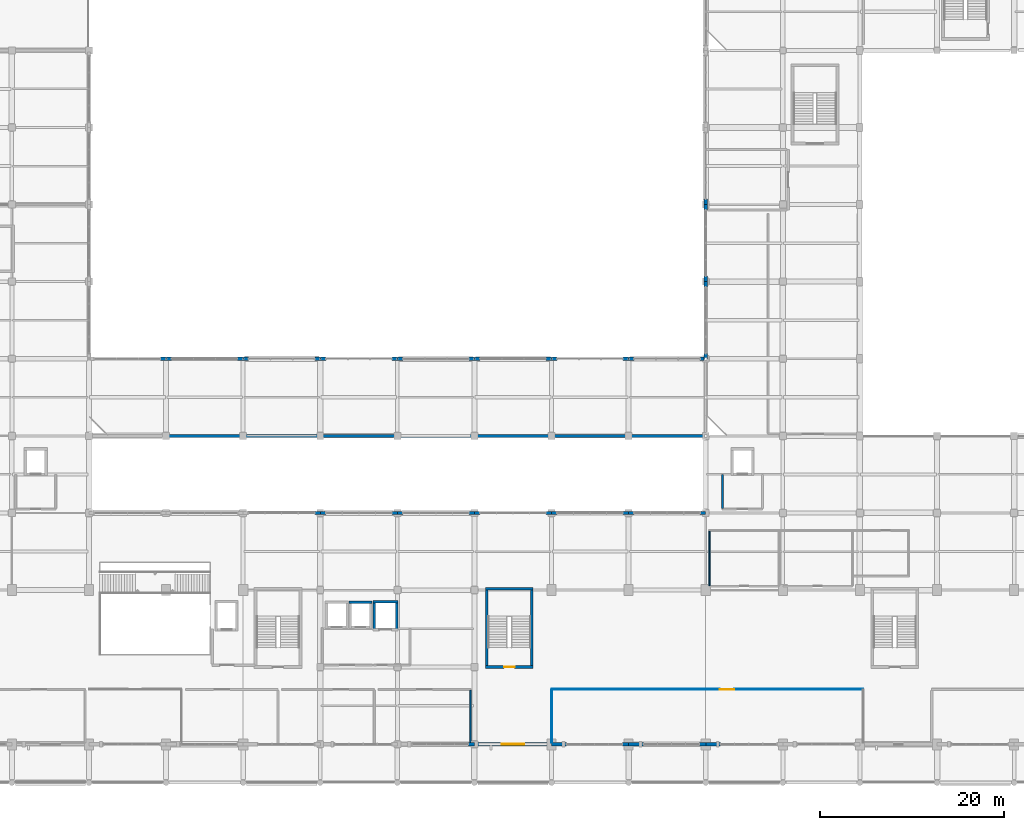
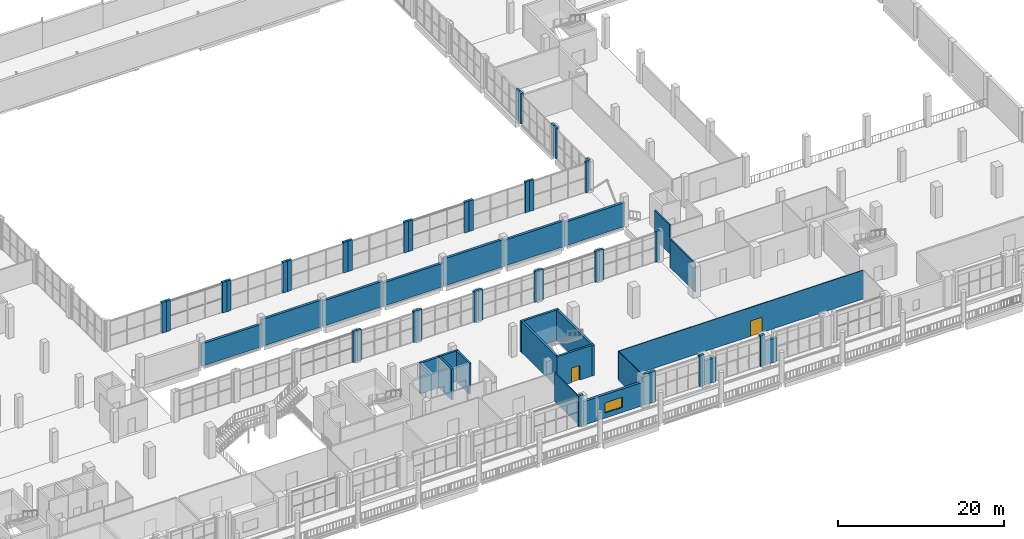
# One storey, part 60 of 75: 58 walls, 2 doors, 1 window, 3 openings.
"""IFC4 building model written with IfcOpenShell, lengths in metres."""

from ifc_helpers import new_model, si_unit, derived_unit, direction, frame, frame_2d, origin, place, context, subcontext, project, spatial, rectangle, extrude, material, layer, layer_set, type_object, element, fill, save


model = new_model("IFC4")

# Units and contexts
model_context = context("Model", 3, precision=1e-05, world=origin(), true_north=direction((0.0, 1.0)))
body_context = subcontext(model_context, "Body", "Model", "MODEL_VIEW")
ifc_project = project(units=[si_unit("LENGTHUNIT", "METRE"), si_unit("AREAUNIT", "SQUARE_METRE"), si_unit("VOLUMEUNIT", "CUBIC_METRE"), si_unit("PLANEANGLEUNIT", "RADIAN"), si_unit("MASSUNIT", "GRAM", prefix="KILO"), derived_unit("THERMALTRANSMITTANCEUNIT", [(si_unit("POWERUNIT", "WATT"), 1), (si_unit("LENGTHUNIT", "METRE"), -2), (si_unit("THERMODYNAMICTEMPERATUREUNIT", "KELVIN"), -1)])], contexts=[model_context])

# Site, building, storey
site_placement = place(None, origin())
site = spatial("IfcSite", under=ifc_project, at=site_placement, CompositionType="ELEMENT")
building_placement = place(site_placement, origin())
building = spatial("IfcBuilding", under=site, at=building_placement, Name="Barrovel Congress Hotel", CompositionType="ELEMENT")
storey_placement = place(building_placement, frame((0.0, 0.0, 5.39990234375)))
storey = spatial("IfcBuildingStorey", under=building, at=storey_placement, Name="L01", CompositionType="ELEMENT", Elevation=5.39990234375)

# Walls
ifc_material_1 = material(Name="Fired Clay Brick Masonry", Category="masonry")
ifc_layer_1 = layer(ifc_material_1, 0.340087890625)
ifc_layer_set_1 = layer_set([ifc_layer_1], Name="Fired Clay Brick Masonry")
wall_type_1 = type_object("IfcWallType", Name="EW-BRK340", PredefinedType="STANDARD", material=ifc_layer_set_1)
wall_1_placement = place(storey_placement, frame((126.0, 29.39990234375, 0.0), z_axis=(0.0, 0.0, 1.0), x_axis=(-1.0, 0.0, 0.0)))
element("IfcWall", 1, at=wall_1_placement, inside=storey, type_object=wall_type_1, Name="EW:L01:CSJ-R:14", PredefinedType="STANDARD", context=body_context, shape_type="SweptSolid", body=[
    extrude(rectangle(XDim=0.60009765625, YDim=0.340087890625, at=frame_2d((0.300048828125, 0.0))), origin(), (0.0, 0.0, 1.0), 4.5),
])
wall_2_placement = place(storey_placement, frame((118.199951171875, 29.39990234375, 0.0), z_axis=(0.0, 0.0, 1.0), x_axis=(-1.0, 0.0, 0.0)))
element("IfcWall", 2, at=wall_2_placement, inside=storey, type_object=wall_type_1, Name="EW:L01:CSJ-L:14", PredefinedType="STANDARD", context=body_context, shape_type="SweptSolid", body=[
    extrude(rectangle(XDim=0.599853515625, YDim=0.340087890625, at=frame_2d((0.2998046875, 0.0))), origin(), (0.0, 0.0, 1.0), 4.5),
])
for number, where, z_axis, x_axis, name in (
    (3, (117.60009765625, 29.39990234375, 0.0), (0.0, 0.0, 1.0), (-1.0, 0.0, 0.0), "EW:L01:CSJ-R:13"),
    (4, (109.800048828125, 29.39990234375, 0.0), (0.0, 0.0, 1.0), (-1.0, 0.0, 0.0), "EW:L01:CSJ-L:13"),
):
    element("IfcWall", number, at=place(storey_placement, frame(where, z_axis=z_axis, x_axis=x_axis)), inside=storey, type_object=wall_type_1, Name=name, PredefinedType="STANDARD", context=body_context, shape_type="SweptSolid", body=[
        extrude(rectangle(XDim=0.60009765625, YDim=0.340087890625, at=frame_2d((0.300048828125, 0.0))), origin(), (0.0, 0.0, 1.0), 4.5),
    ])
for number, where, z_axis, x_axis, name in (
    (5, (109.199951171875, 29.39990234375, 0.0), (0.0, 0.0, 1.0), (-1.0, 0.0, 0.0), "EW:L01:CSJ-R:12"),
    (6, (101.39990234375, 29.39990234375, 0.0), (0.0, 0.0, 1.0), (-1.0, 0.0, 0.0), "EW:L01:CSJ-L:12"),
):
    element("IfcWall", number, at=place(storey_placement, frame(where, z_axis=z_axis, x_axis=x_axis)), inside=storey, type_object=wall_type_1, Name=name, PredefinedType="STANDARD", context=body_context, shape_type="SweptSolid", body=[
        extrude(rectangle(XDim=0.599853515625, YDim=0.340087890625, at=frame_2d((0.2998046875, 0.0))), origin(), (0.0, 0.0, 1.0), 4.5),
    ])
for number, where, z_axis, x_axis, name in (
    (7, (100.800048828125, 29.39990234375, 0.0), (0.0, 0.0, 1.0), (-1.0, 0.0, 0.0), "EW:L01:CSJ-R:11"),
    (8, (93.0, 29.39990234375, 0.0), (0.0, 0.0, 1.0), (-1.0, 0.0, 0.0), "EW:L01:CSJ-L:11"),
):
    element("IfcWall", number, at=place(storey_placement, frame(where, z_axis=z_axis, x_axis=x_axis)), inside=storey, type_object=wall_type_1, Name=name, PredefinedType="STANDARD", context=body_context, shape_type="SweptSolid", body=[
        extrude(rectangle(XDim=0.60009765625, YDim=0.340087890625, at=frame_2d((0.300048828125, 0.0))), origin(), (0.0, 0.0, 1.0), 4.5),
    ])
wall_3_placement = place(storey_placement, frame((92.39990234375, 29.39990234375, 0.0), z_axis=(0.0, 0.0, 1.0), x_axis=(-1.0, 0.0, 0.0)))
element("IfcWall", 9, at=wall_3_placement, inside=storey, type_object=wall_type_1, Name="EW:L01:CSJ-R:10", PredefinedType="STANDARD", context=body_context, shape_type="SweptSolid", body=[
    extrude(rectangle(XDim=0.599853515625, YDim=0.340087890625, at=frame_2d((0.2998046875, 0.0))), origin(), (0.0, 0.0, 1.0), 4.5),
])
for number, where, z_axis, x_axis, name in (
    (10, (84.60009765625, 29.39990234375, 0.0), (0.0, 0.0, 1.0), (-1.0, 0.0, 0.0), "EW:L01:CSJ-L:10"),
    (11, (84.0, 29.39990234375, 0.0), (0.0, 0.0, 1.0), (-1.0, 0.0, 0.0), "EW:L01:CSJ-R:9"),
    (12, (126.0, 54.60009765625, 0.0), (0.0, 0.0, 1.0), (0.0, -1.0, 0.0), "EW:L01:CEJ-B:46.2"),
    (13, (126.0, 46.800048828125, 0.0), (0.0, 0.0, 1.0), (0.0, -1.0, 0.0), "EW:L01:CEJ-A:46.2"),
    (14, (126.0, 63.0, 0.0), (0.0, 0.0, 1.0), (0.0, -1.0, 0.0), "EW:L01:CEJ-B:54.6"),
):
    element("IfcWall", number, at=place(storey_placement, frame(where, z_axis=z_axis, x_axis=x_axis)), inside=storey, type_object=wall_type_1, Name=name, PredefinedType="STANDARD", context=body_context, shape_type="SweptSolid", body=[
        extrude(rectangle(XDim=0.60009765625, YDim=0.340087890625, at=frame_2d((0.300048828125, 0.0))), origin(), (0.0, 0.0, 1.0), 4.5),
    ])
wall_4_placement = place(storey_placement, frame((126.0, 55.199951171875, 0.0), z_axis=(0.0, 0.0, 1.0), x_axis=(0.0, -1.0, 0.0)))
element("IfcWall", 15, at=wall_4_placement, inside=storey, type_object=wall_type_1, Name="EW:L01:CEJ-A:54.6", PredefinedType="STANDARD", context=body_context, shape_type="SweptSolid", body=[
    extrude(rectangle(XDim=0.599853515625, YDim=0.340087890625, at=frame_2d((0.2998046875, 0.0))), origin(), (0.0, 0.0, 1.0), 4.5),
])
wall_5_placement = place(storey_placement, frame((126.0, 63.60009765625, 0.0), z_axis=(0.0, 0.0, 1.0), x_axis=(0.0, -1.0, 0.0)))
element("IfcWall", 16, at=wall_5_placement, inside=storey, type_object=wall_type_1, Name="EW:L01:CEJ-A:63.0", PredefinedType="STANDARD", context=body_context, shape_type="SweptSolid", body=[
    extrude(rectangle(XDim=0.60009765625, YDim=0.340087890625, at=frame_2d((0.300048828125, 0.0))), origin(), (0.0, 0.0, 1.0), 4.5),
])
wall_6_placement = place(storey_placement, frame((67.199951171875, 46.199951171875, 0.0), z_axis=(0.0, 0.0, 1.0), x_axis=(-1.0, 0.0, 0.0)))
element("IfcWall", 17, at=wall_6_placement, inside=storey, type_object=wall_type_1, Name="EW:L01:CLJ-L:7", PredefinedType="STANDARD", context=body_context, shape_type="SweptSolid", body=[
    extrude(rectangle(XDim=0.599853515625, YDim=0.340087890625, at=frame_2d((0.2998046875, 0.0))), origin(), (0.0, 0.0, 1.0), 4.5),
])
for number, where, z_axis, x_axis, name in (
    (18, (75.60009765625, 46.199951171875, 0.0), (0.0, 0.0, 1.0), (-1.0, 0.0, 0.0), "EW:L01:CLJ-L:8"),
    (19, (67.800048828125, 46.199951171875, 0.0), (0.0, 0.0, 1.0), (-1.0, 0.0, 0.0), "EW:L01:CLJ-R:8"),
    (20, (84.0, 46.199951171875, 0.0), (0.0, 0.0, 1.0), (-1.0, 0.0, 0.0), "EW:L01:CLJ-L:9"),
):
    element("IfcWall", number, at=place(storey_placement, frame(where, z_axis=z_axis, x_axis=x_axis)), inside=storey, type_object=wall_type_1, Name=name, PredefinedType="STANDARD", context=body_context, shape_type="SweptSolid", body=[
        extrude(rectangle(XDim=0.60009765625, YDim=0.340087890625, at=frame_2d((0.300048828125, 0.0))), origin(), (0.0, 0.0, 1.0), 4.5),
    ])
for number, where, z_axis, x_axis, name in (
    (21, (76.199951171875, 46.199951171875, 0.0), (0.0, 0.0, 1.0), (-1.0, 0.0, 0.0), "EW:L01:CLJ-R:9"),
    (22, (92.39990234375, 46.199951171875, 0.0), (0.0, 0.0, 1.0), (-1.0, 0.0, 0.0), "EW:L01:CLJ-L:10"),
):
    element("IfcWall", number, at=place(storey_placement, frame(where, z_axis=z_axis, x_axis=x_axis)), inside=storey, type_object=wall_type_1, Name=name, PredefinedType="STANDARD", context=body_context, shape_type="SweptSolid", body=[
        extrude(rectangle(XDim=0.599853515625, YDim=0.340087890625, at=frame_2d((0.2998046875, 0.0))), origin(), (0.0, 0.0, 1.0), 4.5),
    ])
for number, where, z_axis, x_axis, name in (
    (23, (84.60009765625, 46.199951171875, 0.0), (0.0, 0.0, 1.0), (-1.0, 0.0, 0.0), "EW:L01:CLJ-R:10"),
    (24, (100.800048828125, 46.199951171875, 0.0), (0.0, 0.0, 1.0), (-1.0, 0.0, 0.0), "EW:L01:CLJ-L:11"),
    (25, (93.0, 46.199951171875, 0.0), (0.0, 0.0, 1.0), (-1.0, 0.0, 0.0), "EW:L01:CLJ-R:11"),
):
    element("IfcWall", number, at=place(storey_placement, frame(where, z_axis=z_axis, x_axis=x_axis)), inside=storey, type_object=wall_type_1, Name=name, PredefinedType="STANDARD", context=body_context, shape_type="SweptSolid", body=[
        extrude(rectangle(XDim=0.60009765625, YDim=0.340087890625, at=frame_2d((0.300048828125, 0.0))), origin(), (0.0, 0.0, 1.0), 4.5),
    ])
for number, where, z_axis, x_axis, name in (
    (26, (109.199951171875, 46.199951171875, 0.0), (0.0, 0.0, 1.0), (-1.0, 0.0, 0.0), "EW:L01:CLJ-L:12"),
    (27, (101.39990234375, 46.199951171875, 0.0), (0.0, 0.0, 1.0), (-1.0, 0.0, 0.0), "EW:L01:CLJ-R:12"),
):
    element("IfcWall", number, at=place(storey_placement, frame(where, z_axis=z_axis, x_axis=x_axis)), inside=storey, type_object=wall_type_1, Name=name, PredefinedType="STANDARD", context=body_context, shape_type="SweptSolid", body=[
        extrude(rectangle(XDim=0.599853515625, YDim=0.340087890625, at=frame_2d((0.2998046875, 0.0))), origin(), (0.0, 0.0, 1.0), 4.5),
    ])
for number, where, z_axis, x_axis, name in (
    (28, (117.60009765625, 46.199951171875, 0.0), (0.0, 0.0, 1.0), (-1.0, 0.0, 0.0), "EW:L01:CLJ-L:13"),
    (29, (109.800048828125, 46.199951171875, 0.0), (0.0, 0.0, 1.0), (-1.0, 0.0, 0.0), "EW:L01:CLJ-R:13"),
):
    element("IfcWall", number, at=place(storey_placement, frame(where, z_axis=z_axis, x_axis=x_axis)), inside=storey, type_object=wall_type_1, Name=name, PredefinedType="STANDARD", context=body_context, shape_type="SweptSolid", body=[
        extrude(rectangle(XDim=0.60009765625, YDim=0.340087890625, at=frame_2d((0.300048828125, 0.0))), origin(), (0.0, 0.0, 1.0), 4.5),
    ])
wall_7_placement = place(storey_placement, frame((125.830078125, 46.199951171875, 0.0), z_axis=(0.0, 0.0, 1.0), x_axis=(-1.0, 0.0, 0.0)))
element("IfcWall", 30, at=wall_7_placement, inside=storey, type_object=wall_type_1, Name="EW:L01:CLJ-L:14", PredefinedType="STANDARD", context=body_context, shape_type="SweptSolid", body=[
    extrude(rectangle(XDim=0.43017578125, YDim=0.340087890625, at=frame_2d((0.215087890625, 0.0))), origin(), (0.0, 0.0, 1.0), 4.5),
])
wall_8_placement = place(storey_placement, frame((118.199951171875, 46.199951171875, 0.0), z_axis=(0.0, 0.0, 1.0), x_axis=(-1.0, 0.0, 0.0)))
element("IfcWall", 31, at=wall_8_placement, inside=storey, type_object=wall_type_1, Name="EW:L01:CLJ-R:14", PredefinedType="STANDARD", context=body_context, shape_type="SweptSolid", body=[
    extrude(rectangle(XDim=0.599853515625, YDim=0.340087890625, at=frame_2d((0.2998046875, 0.0))), origin(), (0.0, 0.0, 1.0), 4.5),
])
wall_9_placement = place(storey_placement, frame((117.60009765625, 37.800048828125, 0.0), z_axis=(0.0, 0.0, 1.0), x_axis=(1.0, 0.0, 0.0)))
element("IfcWall", 32, at=wall_9_placement, inside=storey, type_object=wall_type_1, Name="EW:L01:CLS", PredefinedType="STANDARD", context=body_context, shape_type="SweptSolid", body=[
    extrude(rectangle(XDim=8.39990234375, YDim=0.340087890625, at=frame_2d((4.199951171875, 0.0))), origin(), (0.0, 0.0, 1.0), 3.489990234375),
])
wall_10_placement = place(storey_placement, frame((67.199951171875, 37.800048828125, 0.0), z_axis=(0.0, 0.0, 1.0), x_axis=(1.0, 0.0, 0.0)))
element("IfcWall", 33, at=wall_10_placement, inside=storey, type_object=wall_type_1, Name="EW:L01:CLS:P02", PredefinedType="STANDARD", context=body_context, shape_type="SweptSolid", body=[
    extrude(rectangle(XDim=8.400146484375, YDim=0.340087890625, at=frame_2d((4.2001953125, 0.0))), origin(), (0.0, 0.0, 1.0), 3.2900390625),
])
wall_11_placement = place(storey_placement, frame((75.60009765625, 37.800048828125, 0.0), z_axis=(0.0, 0.0, 1.0), x_axis=(1.0, 0.0, 0.0)))
element("IfcWall", 34, at=wall_11_placement, inside=storey, type_object=wall_type_1, Name="EW:L01:CLS:P03", PredefinedType="STANDARD", context=body_context, shape_type="SweptSolid", body=[
    extrude(rectangle(XDim=8.39990234375, YDim=0.340087890625, at=frame_2d((4.199951171875, 0.0))), origin(), (0.0, 0.0, 1.0), 3.93017578125),
])
wall_12_placement = place(storey_placement, frame((84.0, 37.800048828125, 0.0), z_axis=(0.0, 0.0, 1.0), x_axis=(1.0, 0.0, 0.0)))
element("IfcWall", 35, at=wall_12_placement, inside=storey, type_object=wall_type_1, Name="EW:L01:CLS:P04", PredefinedType="STANDARD", context=body_context, shape_type="SweptSolid", body=[
    extrude(rectangle(XDim=8.39990234375, YDim=0.340087890625, at=frame_2d((4.199951171875, 0.0))), origin(), (0.0, 0.0, 1.0), 3.70703125),
])
wall_13_placement = place(storey_placement, frame((92.39990234375, 37.800048828125, 0.0), z_axis=(0.0, 0.0, 1.0), x_axis=(1.0, 0.0, 0.0)))
element("IfcWall", 36, at=wall_13_placement, inside=storey, type_object=wall_type_1, Name="EW:L01:CLS:P05", PredefinedType="STANDARD", context=body_context, shape_type="SweptSolid", body=[
    extrude(rectangle(XDim=8.400146484375, YDim=0.340087890625, at=frame_2d((4.2001953125, 0.0))), origin(), (0.0, 0.0, 1.0), 3.440185546875),
])
wall_14_placement = place(storey_placement, frame((100.800048828125, 37.800048828125, 0.0), z_axis=(0.0, 0.0, 1.0), x_axis=(1.0, 0.0, 0.0)))
element("IfcWall", 37, at=wall_14_placement, inside=storey, type_object=wall_type_1, Name="EW:L01:CLS:P06", PredefinedType="STANDARD", context=body_context, shape_type="SweptSolid", body=[
    extrude(rectangle(XDim=8.39990234375, YDim=0.340087890625, at=frame_2d((4.199951171875, 0.0))), origin(), (0.0, 0.0, 1.0), 3.986083984375),
])
wall_15_placement = place(storey_placement, frame((109.199951171875, 37.800048828125, 0.0), z_axis=(0.0, 0.0, 1.0), x_axis=(1.0, 0.0, 0.0)))
element("IfcWall", 38, at=wall_15_placement, inside=storey, type_object=wall_type_1, Name="EW:L01:CLS:P07", PredefinedType="STANDARD", context=body_context, shape_type="SweptSolid", body=[
    extrude(rectangle(XDim=8.400146484375, YDim=0.340087890625, at=frame_2d((4.2001953125, 0.0))), origin(), (0.0, 0.0, 1.0), 3.781005859375),
])
ifc_layer_2 = layer(ifc_material_1, 0.360107421875)
ifc_layer_set_2 = layer_set([ifc_layer_2], Name="Fired Clay Brick Masonry")
wall_type_2 = type_object("IfcWallType", Name="EW-BRK360", PredefinedType="STANDARD", material=ifc_layer_set_2)
wall_16_placement = place(storey_placement, frame((100.139892578125, 4.199951171875, 0.0), z_axis=(0.0, 0.0, 1.0), x_axis=(1.0, 0.0, 0.0)))
element("IfcWall", 39, at=wall_16_placement, inside=storey, type_object=wall_type_2, Name="EW:L01:SJ-R:11", PredefinedType="STANDARD", context=body_context, shape_type="SweptSolid", body=[
    extrude(rectangle(XDim=0.66015625, YDim=0.360107421875, at=frame_2d((0.330078125, 0.0))), origin(), (0.0, 0.0, 1.0), 4.5),
])

# Wall, opening, window
wall_17_placement = place(storey_placement, frame((100.800048828125, 4.199951171875, 0.0), z_axis=(0.0, 0.0, 1.0), x_axis=(1.0, 0.0, 0.0)))
wall_17 = element("IfcWall", 40, at=wall_17_placement, inside=storey, type_object=wall_type_2, Name="EW:L01:S:12", PredefinedType="STANDARD", context=body_context, shape_type="SweptSolid", body=[
    extrude(rectangle(XDim=8.39990234375, YDim=0.360107421875, at=frame_2d((4.199951171875, 0.0))), origin(), (0.0, 0.0, 1.0), 3.440185546875),
])
opening_1_placement = place(wall_17_placement, frame((3.0, 0.0, 0.75)))
opening_1 = element("IfcOpeningElement", 41, at=opening_1_placement, cuts=wall_17, Name="Opening WN-10", PredefinedType="OPENING", context=body_context, shape_type="SweptSolid", body=[
    extrude(rectangle(XDim=2.39990234375, YDim=1.5, at=frame_2d((1.199951171875, 0.75))), frame((0.0, 0.18994140625, 0.0), z_axis=(0.0, -1.0, 0.0), x_axis=(1.0, 0.0, 0.0)), (0.0, 0.0, 1.0), 0.380126953125),
])
ifc_material_2 = material(Name="Double Low-E Insulated Glazing", Category="glass")
window_type = type_object("IfcWindowType", Name="WIN-WN-10", PartitioningType="SINGLE_PANEL", PredefinedType="WINDOW", material=ifc_material_2)
window_placement = place(opening_1_placement, origin())
window = element("IfcWindow", 42, at=window_placement, inside=storey, type_object=window_type, Name="WIN:L01:S:12", OverallHeight=1.5, OverallWidth=2.39990234375, PartitioningType="SINGLE_PANEL", PredefinedType="WINDOW", context=body_context, shape_type="SweptSolid", body=[
    extrude(rectangle(XDim=2.39990234375, YDim=1.5, at=frame_2d((1.199951171875, 0.75))), frame((0.0, 0.030029296875, 0.0), z_axis=(0.0, -1.0, 0.0), x_axis=(1.0, 0.0, 0.0)), (0.0, 0.0, 1.0), 0.06005859375),
])
fill(opening_1, window)

# Walls
wall_18_placement = place(storey_placement, frame((109.199951171875, 4.199951171875, 0.0), z_axis=(0.0, 0.0, 1.0), x_axis=(1.0, 0.0, 0.0)))
element("IfcWall", 43, at=wall_18_placement, inside=storey, type_object=wall_type_2, Name="EW:L01:SJ-L:13", PredefinedType="STANDARD", context=body_context, shape_type="SweptSolid", body=[
    extrude(rectangle(XDim=1.6201171875, YDim=0.360107421875, at=frame_2d((0.81005859375, 0.0))), origin(), (0.0, 0.0, 1.0), 4.5),
])
wall_19_placement = place(storey_placement, frame((116.93994140625, 4.199951171875, 0.0), z_axis=(0.0, 0.0, 1.0), x_axis=(1.0, 0.0, 0.0)))
element("IfcWall", 44, at=wall_19_placement, inside=storey, type_object=wall_type_2, Name="EW:L01:SJ-R:13", PredefinedType="STANDARD", context=body_context, shape_type="SweptSolid", body=[
    extrude(rectangle(XDim=0.66015625, YDim=0.360107421875, at=frame_2d((0.330078125, 0.0))), origin(), (0.0, 0.0, 1.0), 4.5),
])
wall_20_placement = place(storey_placement, frame((117.60009765625, 4.199951171875, 0.0), z_axis=(0.0, 0.0, 1.0), x_axis=(1.0, 0.0, 0.0)))
element("IfcWall", 45, at=wall_20_placement, inside=storey, type_object=wall_type_2, Name="EW:L01:SJ-L:14", PredefinedType="STANDARD", context=body_context, shape_type="SweptSolid", body=[
    extrude(rectangle(XDim=1.619873046875, YDim=0.360107421875, at=frame_2d((0.81005859375, 0.0))), origin(), (0.0, 0.0, 1.0), 3.55615234375),
])
wall_21_placement = place(storey_placement, frame((125.340087890625, 4.199951171875, 0.0), z_axis=(0.0, 0.0, 1.0), x_axis=(1.0, 0.0, 0.0)))
element("IfcWall", 46, at=wall_21_placement, inside=storey, type_object=wall_type_2, Name="EW:L01:SJ-R:14", PredefinedType="STANDARD", context=body_context, shape_type="SweptSolid", body=[
    extrude(rectangle(XDim=0.659912109375, YDim=0.360107421875, at=frame_2d((0.330078125, 0.0))), origin(), (0.0, 0.0, 1.0), 4.5),
])
wall_22_placement = place(storey_placement, frame((126.0, 4.199951171875, 0.0), z_axis=(0.0, 0.0, 1.0), x_axis=(1.0, 0.0, 0.0)))
element("IfcWall", 47, at=wall_22_placement, inside=storey, type_object=wall_type_2, Name="EW:L01:SJ-L:15", PredefinedType="STANDARD", context=body_context, shape_type="SweptSolid", body=[
    extrude(rectangle(XDim=1.6201171875, YDim=0.360107421875, at=frame_2d((0.81005859375, 0.0))), origin(), (0.0, 0.0, 1.0), 3.489990234375),
])
ifc_material_3 = material(Name="Gypsum Acoustic Stud", Category="gypsum")
ifc_layer_3 = layer(ifc_material_3, 0.179931640625)
ifc_layer_set_3 = layer_set([ifc_layer_3], Name="Gypsum Acoustic Stud")
wall_type_3 = type_object("IfcWallType", Name="PW-ACU-180", PredefinedType="PARTITIONING", material=ifc_layer_set_3)
wall_23_placement = place(storey_placement, frame((127.820068359375, 29.909912109375, 0.0), z_axis=(0.0, 0.0, 1.0), x_axis=(0.0, 1.0, 0.0)))
element("IfcWall", 48, at=wall_23_placement, inside=storey, type_object=wall_type_3, Name="RW:SP:L01:LL-CL2:W", PredefinedType="PARTITIONING", context=body_context, shape_type="SweptSolid", body=[
    extrude(rectangle(XDim=3.670166015625, YDim=0.179931640625, at=frame_2d((1.8349609375, 0.0))), origin(), (0.0, 0.0, 1.0), 4.235107421875),
])

# Wall, opening, door
ifc_layer_4 = layer(ifc_material_3, 0.10009765625)
ifc_layer_set_4 = layer_set([ifc_layer_4], Name="Gypsum Acoustic Stud")
wall_type_4 = type_object("IfcWallType", Name="PW-LGT-100", PredefinedType="PARTITIONING", material=ifc_layer_set_4)
wall_24_placement = place(storey_placement, frame((109.219970703125, 10.179931640625, 0.0), z_axis=(0.0, 0.0, 1.0), x_axis=(1.0, 0.0, 0.0)))
wall_24 = element("IfcWall", 49, at=wall_24_placement, inside=storey, type_object=wall_type_4, Name="RW:SP:L01:BIZ:N", PredefinedType="PARTITIONING", context=body_context, shape_type="SweptSolid", body=[
    extrude(rectangle(XDim=33.9599609375, YDim=0.10009765625, at=frame_2d((16.97998046875, 0.0))), origin(), (0.0, 0.0, 1.0), 4.235107421875),
])
opening_2_placement = place(wall_24_placement, frame((18.280029296875, 0.0, 0.0)))
opening_2 = element("IfcOpeningElement", 50, at=opening_2_placement, cuts=wall_24, Name="Opening ID-MTG", PredefinedType="OPENING", context=body_context, shape_type="SweptSolid", body=[
    extrude(rectangle(XDim=1.60009765625, YDim=2.25, at=frame_2d((0.800048828125, 1.125))), frame((0.0, 0.06005859375, 0.0), z_axis=(0.0, -1.0, 0.0), x_axis=(1.0, 0.0, 0.0)), (0.0, 0.0, 1.0), 0.1201171875),
])
ifc_material_4 = material(Name="Solid Oak Acoustic Timber Door", Category="wood")
door_type_1 = type_object("IfcDoorType", Name="IDR-ID-MTG", OperationType="NOTDEFINED", PredefinedType="DOOR", material=ifc_material_4)
door_1_placement = place(opening_2_placement, origin())
door_1 = element("IfcDoor", 51, at=door_1_placement, inside=storey, type_object=door_type_1, Name="RD:SP:L01:BIZ", OperationType="DOUBLE_DOOR_SINGLE_SWING", OverallHeight=2.25, OverallWidth=1.60009765625, PredefinedType="DOOR", context=body_context, shape_type="SweptSolid", body=[
    extrude(rectangle(XDim=1.60009765625, YDim=2.25, at=frame_2d((0.800048828125, 1.125))), frame((0.0, 0.02490234375, 0.0), z_axis=(0.0, -1.0, 0.0), x_axis=(1.0, 0.0, 0.0)), (0.0, 0.0, 1.0), 0.050048828125),
])
fill(opening_2, door_1)

# Walls
wall_25_placement = place(storey_placement, frame((109.219970703125, 4.3798828125, 0.0), z_axis=(0.0, 0.0, 1.0), x_axis=(0.0, 1.0, 0.0)))
element("IfcWall", 52, at=wall_25_placement, inside=storey, type_object=wall_type_4, Name="RW:SP:L01:BIZ:W", PredefinedType="PARTITIONING", context=body_context, shape_type="SweptSolid", body=[
    extrude(rectangle(XDim=5.75, YDim=0.10009765625, at=frame_2d((2.875, 0.0))), origin(), (0.0, 0.0, 1.0), 4.235107421875),
])
ifc_layer_5 = layer(ifc_material_3, 0.14990234375)
ifc_layer_set_5 = layer_set([ifc_layer_5], Name="Gypsum Acoustic Stud")
wall_type_5 = type_object("IfcWallType", Name="PW-STD-150", PredefinedType="PARTITIONING", material=ifc_layer_set_5)
wall_26_placement = place(storey_placement, frame((100.3798828125, 4.3798828125, 0.0), z_axis=(0.0, 0.0, 1.0), x_axis=(0.0, 1.0, 0.0)))
element("IfcWall", 53, at=wall_26_placement, inside=storey, type_object=wall_type_5, Name="RW:SP:L01:BM-08:E", PredefinedType="PARTITIONING", context=body_context, shape_type="SweptSolid", body=[
    extrude(rectangle(XDim=5.72509765625, YDim=0.14990234375, at=frame_2d((2.862548828125, 0.0))), origin(), (0.0, 0.0, 1.0), 4.235107421875),
])
ifc_material_5 = material(Name="Gypsum Moisture Board", Category="gypsum")
ifc_layer_6 = layer(ifc_material_5, 0.139892578125)
ifc_layer_set_6 = layer_set([ifc_layer_6], Name="Gypsum Moisture Board")
wall_type_6 = type_object("IfcWallType", Name="PW-WET-140", PredefinedType="PARTITIONING", material=ifc_layer_set_6)
wall_27_placement = place(storey_placement, frame((126.419921875, 21.489990234375, 0.0), z_axis=(0.0, 0.0, 1.0), x_axis=(0.0, 1.0, 0.0)))
element("IfcWall", 54, at=wall_27_placement, inside=storey, type_object=wall_type_6, Name="RW:SP:L01:WC-M1:W", PredefinedType="PARTITIONING", context=body_context, shape_type="SweptSolid", body=[
    extrude(rectangle(XDim=5.919921875, YDim=0.139892578125, at=frame_2d((2.9599609375, 0.0))), origin(), (0.0, 0.0, 1.0), 4.235107421875),
])
ifc_material_6 = material(Name="Concrete C40", Category="concrete")
ifc_layer_7 = layer(ifc_material_6, 0.280029296875)
ifc_layer_set_7 = layer_set([ifc_layer_7], Name="Concrete C40")
wall_type_7 = type_object("IfcWallType", Name="SW-C40-280", PredefinedType="SHEAR", material=ifc_layer_set_7)
wall_28_placement = place(storey_placement, frame((89.659912109375, 19.669921875, 0.0), z_axis=(0.0, 0.0, 1.0), x_axis=(-1.0, 0.0, 0.0)))
element("IfcWall", 55, at=wall_28_placement, inside=storey, type_object=wall_type_7, Name="LSH:PL-4:L01:N", PredefinedType="SHEAR", context=body_context, shape_type="SweptSolid", body=[
    extrude(rectangle(XDim=2.52001953125, YDim=0.280029296875, at=frame_2d((1.260009765625, 0.0))), origin(), (0.0, 0.0, 1.0), 4.5),
])
wall_29_placement = place(storey_placement, frame((92.320068359375, 16.5400390625, 0.0), z_axis=(0.0, 0.0, 1.0), x_axis=(0.0, 1.0, 0.0)))
element("IfcWall", 56, at=wall_29_placement, inside=storey, type_object=wall_type_7, Name="LSH:SL-2:L01:E", PredefinedType="SHEAR", context=body_context, shape_type="SweptSolid", body=[
    extrude(rectangle(XDim=3.320068359375, YDim=0.280029296875, at=frame_2d((1.66015625, 0.0))), origin(), (0.0, 0.0, 1.0), 4.5),
])
wall_30_placement = place(storey_placement, frame((92.4599609375, 19.719970703125, 0.0), z_axis=(0.0, 0.0, 1.0), x_axis=(-1.0, 0.0, 0.0)))
element("IfcWall", 57, at=wall_30_placement, inside=storey, type_object=wall_type_7, Name="LSH:SL-2:L01:N", PredefinedType="SHEAR", context=body_context, shape_type="SweptSolid", body=[
    extrude(rectangle(XDim=2.719970703125, YDim=0.280029296875, at=frame_2d((1.35986328125, 0.0))), origin(), (0.0, 0.0, 1.0), 4.5),
])
wall_31_placement = place(storey_placement, frame((89.8798828125, 19.860107421875, 0.0), z_axis=(0.0, 0.0, 1.0), x_axis=(0.0, -1.0, 0.0)))
element("IfcWall", 58, at=wall_31_placement, inside=storey, type_object=wall_type_7, Name="LSH:SL-2:L01:W", PredefinedType="SHEAR", context=body_context, shape_type="SweptSolid", body=[
    extrude(rectangle(XDim=3.320068359375, YDim=0.280029296875, at=frame_2d((1.66015625, 0.0))), origin(), (0.0, 0.0, 1.0), 4.5),
])

# Wall, opening, door
ifc_layer_8 = layer(ifc_material_6, 0.300048828125)
ifc_layer_set_8 = layer_set([ifc_layer_8], Name="Concrete C40")
wall_type_8 = type_object("IfcWallType", Name="SW-C40-300", PredefinedType="SHEAR", material=ifc_layer_set_8)
wall_32_placement = place(storey_placement, frame((102.0, 12.610107421875, 0.0), z_axis=(0.0, 0.0, 1.0), x_axis=(1.0, 0.0, 0.0)))
wall_32 = element("IfcWall", 59, at=wall_32_placement, inside=storey, type_object=wall_type_8, Name="SHW:XS-03:L01:S", PredefinedType="SHEAR", context=body_context, shape_type="SweptSolid", body=[
    extrude(rectangle(XDim=5.199951171875, YDim=0.300048828125, at=frame_2d((2.60009765625, 0.0))), origin(), (0.0, 0.0, 1.0), 4.5),
])
opening_3_placement = place(wall_32_placement, frame((2.02490234375, 0.0, 0.0)))
opening_3 = element("IfcOpeningElement", 60, at=opening_3_placement, cuts=wall_32, Name="Opening ID-ST1", PredefinedType="OPENING", context=body_context, shape_type="SweptSolid", body=[
    extrude(rectangle(XDim=1.14990234375, YDim=2.14990234375, at=frame_2d((0.574951171875, 1.074951171875))), frame((0.0, 0.16015625, 0.0), z_axis=(0.0, -1.0, 0.0), x_axis=(1.0, 0.0, 0.0)), (0.0, 0.0, 1.0), 0.320068359375),
])
ifc_material_7 = material(Name="Painted Hollow-Metal Steel Door", Category="steel")
door_type_2 = type_object("IfcDoorType", Name="IDR-ID-ST1", OperationType="NOTDEFINED", PredefinedType="DOOR", material=ifc_material_7)
door_2_placement = place(opening_3_placement, origin())
door_2 = element("IfcDoor", 61, at=door_2_placement, inside=storey, type_object=door_type_2, Name="Stair Core Fire Door XS-03-L01", OperationType="SINGLE_SWING_LEFT", OverallHeight=2.14990234375, OverallWidth=1.14990234375, PredefinedType="DOOR", context=body_context, shape_type="SweptSolid", body=[
    extrude(rectangle(XDim=1.14990234375, YDim=2.14990234375, at=frame_2d((0.574951171875, 1.074951171875))), frame((0.0, 0.02490234375, 0.0), z_axis=(0.0, -1.0, 0.0), x_axis=(1.0, 0.0, 0.0)), (0.0, 0.0, 1.0), 0.050048828125),
])
fill(opening_3, door_2)

# Walls
wall_33_placement = place(storey_placement, frame((107.050048828125, 12.4599609375, 0.0), z_axis=(0.0, 0.0, 1.0), x_axis=(0.0, 1.0, 0.0)))
element("IfcWall", 62, at=wall_33_placement, inside=storey, type_object=wall_type_8, Name="SHW:XS-03:L01:E", PredefinedType="SHEAR", context=body_context, shape_type="SweptSolid", body=[
    extrude(rectangle(XDim=8.840087890625, YDim=0.300048828125, at=frame_2d((4.419921875, 0.0))), origin(), (0.0, 0.0, 1.0), 4.5),
])
wall_34_placement = place(storey_placement, frame((107.199951171875, 21.14990234375, 0.0), z_axis=(0.0, 0.0, 1.0), x_axis=(-1.0, 0.0, 0.0)))
element("IfcWall", 63, at=wall_34_placement, inside=storey, type_object=wall_type_8, Name="SHW:XS-03:L01:N", PredefinedType="SHEAR", context=body_context, shape_type="SweptSolid", body=[
    extrude(rectangle(XDim=5.199951171875, YDim=0.300048828125, at=frame_2d((2.60009765625, 0.0))), origin(), (0.0, 0.0, 1.0), 4.5),
])
wall_35_placement = place(storey_placement, frame((102.14990234375, 21.300048828125, 0.0), z_axis=(0.0, 0.0, 1.0), x_axis=(0.0, -1.0, 0.0)))
element("IfcWall", 64, at=wall_35_placement, inside=storey, type_object=wall_type_8, Name="SHW:XS-03:L01:W", PredefinedType="SHEAR", context=body_context, shape_type="SweptSolid", body=[
    extrude(rectangle(XDim=8.840087890625, YDim=0.300048828125, at=frame_2d((4.419921875, 0.0))), origin(), (0.0, 0.0, 1.0), 4.5),
])

save(model, "model.ifc")
